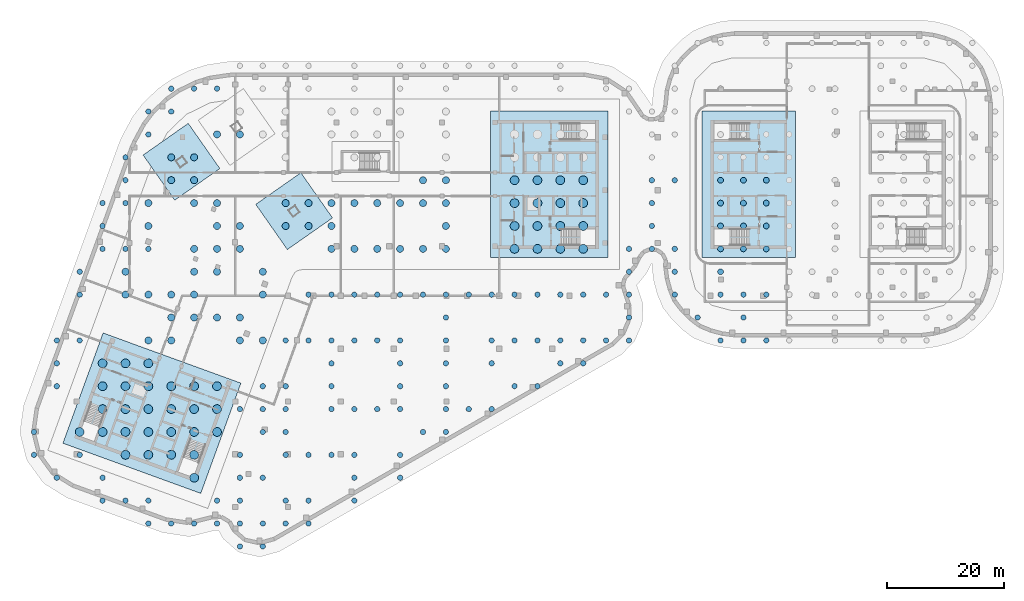
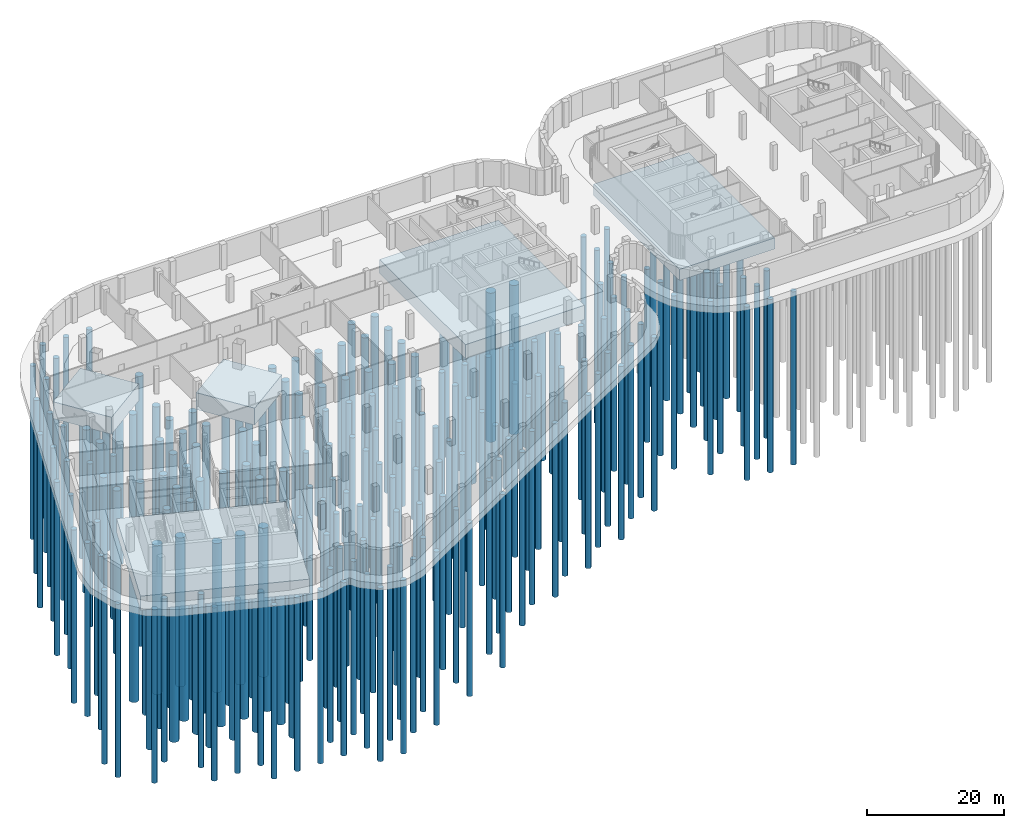
# One storey, part 1 of 18: 237 piles, 5 footings.
"""IFC4 building model written with IfcOpenShell, lengths in metres."""

from ifc_helpers import new_model, si_unit, direction, frame, origin, origin_2d, place, context, subcontext, project, spatial, polyline, circle, outline, extrude, material, type_object, element, save


model = new_model("IFC4")

# Units and contexts
model_context = context("Model", 3, precision=1e-05, world=origin(), true_north=direction((0.0, 1.0)))
body_context = subcontext(model_context, "Body", "Model", "MODEL_VIEW")
ifc_project = project(units=[si_unit("LENGTHUNIT", "METRE"), si_unit("AREAUNIT", "SQUARE_METRE"), si_unit("VOLUMEUNIT", "CUBIC_METRE"), si_unit("PLANEANGLEUNIT", "RADIAN"), si_unit("MASSUNIT", "GRAM", prefix="KILO")], contexts=[model_context])

# Site, building, storey
site_placement = place(None, origin())
site = spatial("IfcSite", under=ifc_project, at=site_placement, CompositionType="ELEMENT")
building_placement = place(site_placement, origin())
building = spatial("IfcBuilding", under=site, at=building_placement, Name="Skarvind Civic Tower", CompositionType="ELEMENT")
storey_placement = place(building_placement, frame((0.0, 0.0, -9.0)))
storey = spatial("IfcBuildingStorey", under=building, at=storey_placement, Name="B2", CompositionType="ELEMENT", Elevation=-9.0)

# Piles
ifc_material_1 = material(Name="Concrete C40", Category="concrete")
pile_type_1 = type_object("IfcPileType", Name="Bored pile D1000 length 27800 top -13.200", PredefinedType="BORED", material=ifc_material_1)
for number, where, z_axis, x_axis, name in (
    (1, (128.699951171875, 117.0, -4.199951171875), (0.0, 0.0, -1.0), (1.0, 0.0, 0.0), "Bored pile 278"),
    (2, (128.699951171875, 120.89990234375, -4.199951171875), (0.0, 0.0, -1.0), (1.0, 0.0, 0.0), "Bored pile 279"),
    (3, (128.699951171875, 124.800048828125, -4.199951171875), (0.0, 0.0, -1.0), (1.0, 0.0, 0.0), "Bored pile 280"),
    (4, (128.699951171875, 128.699951171875, -4.199951171875), (0.0, 0.0, -1.0), (1.0, 0.0, 0.0), "Bored pile 281"),
    (5, (132.60009765625, 117.0, -4.199951171875), (0.0, 0.0, -1.0), (1.0, 0.0, 0.0), "Bored pile 289"),
    (6, (132.60009765625, 120.89990234375, -4.199951171875), (0.0, 0.0, -1.0), (1.0, 0.0, 0.0), "Bored pile 290"),
    (7, (132.60009765625, 124.800048828125, -4.199951171875), (0.0, 0.0, -1.0), (1.0, 0.0, 0.0), "Bored pile 291"),
    (8, (132.60009765625, 128.699951171875, -4.199951171875), (0.0, 0.0, -1.0), (1.0, 0.0, 0.0), "Bored pile 292"),
    (9, (136.5, 117.0, -4.199951171875), (0.0, 0.0, -1.0), (1.0, 0.0, 0.0), "Bored pile 297"),
    (10, (136.5, 120.89990234375, -4.199951171875), (0.0, 0.0, -1.0), (1.0, 0.0, 0.0), "Bored pile 298"),
    (11, (136.5, 124.800048828125, -4.199951171875), (0.0, 0.0, -1.0), (1.0, 0.0, 0.0), "Bored pile 299"),
    (12, (136.5, 128.699951171875, -4.199951171875), (0.0, 0.0, -1.0), (1.0, 0.0, 0.0), "Bored pile 300"),
):
    element("IfcPile", number, at=place(storey_placement, frame(where, z_axis=z_axis, x_axis=x_axis)), inside=storey, type_object=pile_type_1, Name=name, PredefinedType="BORED", context=body_context, shape_type="SweptSolid", body=[
        extrude(circle(Radius=0.5, at=origin_2d()), origin(), (0.0, 0.0, 1.0), 27.800048828125),
    ])
pile_type_2 = type_object("IfcPileType", Name="Bored pile D1000 length 29800 top -11.200", PredefinedType="BORED", material=ifc_material_1)
pile_placement = place(storey_placement, frame((128.699951171875, 113.10009765625, -2.199951171875), z_axis=(0.0, 0.0, -1.0), x_axis=(1.0, 0.0, 0.0)))
element("IfcPile", 13, at=pile_placement, inside=storey, type_object=pile_type_2, Name="Bored pile 277", PredefinedType="BORED", context=body_context, shape_type="SweptSolid", body=[
    extrude(circle(Radius=0.5, at=origin_2d()), origin(), (0.0, 0.0, 1.0), 29.800048828125),
])
pile_type_3 = type_object("IfcPileType", Name="Bored pile D1200 length 26000 top -15.000", PredefinedType="BORED", material=ifc_material_1)
for number, where, z_axis, x_axis, name in (
    (14, (35.10009765625, 128.699951171875, -6.0), (0.0, 0.0, -1.0), (1.0, 0.0, 0.0), "Bored pile 055"),
    (15, (35.10009765625, 132.60009765625, -6.0), (0.0, 0.0, -1.0), (1.0, 0.0, 0.0), "Bored pile 056"),
    (16, (39.0, 128.699951171875, -6.0), (0.0, 0.0, -1.0), (1.0, 0.0, 0.0), "Bored pile 070"),
    (17, (39.0, 132.60009765625, -6.0), (0.0, 0.0, -1.0), (1.0, 0.0, 0.0), "Bored pile 071"),
    (18, (42.89990234375, 136.5, -6.0), (0.0, 0.0, -1.0), (1.0, 0.0, 0.0), "Bored pile 083"),
    (19, (46.800048828125, 136.5, -6.0), (0.0, 0.0, -1.0), (1.0, 0.0, 0.0), "Bored pile 095"),
    (20, (54.60009765625, 120.89990234375, -6.0), (0.0, 0.0, -1.0), (1.0, 0.0, 0.0), "Bored pile 117"),
    (21, (54.60009765625, 124.800048828125, -6.0), (0.0, 0.0, -1.0), (1.0, 0.0, 0.0), "Bored pile 118"),
    (22, (58.5, 120.89990234375, -6.0), (0.0, 0.0, -1.0), (1.0, 0.0, 0.0), "Bored pile 129"),
    (23, (58.5, 124.800048828125, -6.0), (0.0, 0.0, -1.0), (1.0, 0.0, 0.0), "Bored pile 130"),
):
    element("IfcPile", number, at=place(storey_placement, frame(where, z_axis=z_axis, x_axis=x_axis)), inside=storey, type_object=pile_type_3, Name=name, PredefinedType="BORED", context=body_context, shape_type="SweptSolid", body=[
        extrude(circle(Radius=0.60009765625, at=origin_2d()), origin(), (0.0, 0.0, 1.0), 26.0),
    ])
pile_type_4 = type_object("IfcPileType", Name="Bored pile D1200 length 29000 top -12.000", PredefinedType="BORED", material=ifc_material_1)
for number, where, z_axis, x_axis, name in (
    (24, (27.300048828125, 109.199951171875, -3.0), (0.0, 0.0, -1.0), (1.0, 0.0, 0.0), "Bored pile 027"),
    (25, (27.300048828125, 113.10009765625, -3.0), (0.0, 0.0, -1.0), (1.0, 0.0, 0.0), "Bored pile 028"),
    (26, (31.199951171875, 101.39990234375, -3.0), (0.0, 0.0, -1.0), (1.0, 0.0, 0.0), "Bored pile 040"),
    (27, (31.199951171875, 109.199951171875, -3.0), (0.0, 0.0, -1.0), (1.0, 0.0, 0.0), "Bored pile 041"),
    (28, (31.199951171875, 120.89990234375, -3.0), (0.0, 0.0, -1.0), (1.0, 0.0, 0.0), "Bored pile 043"),
    (29, (31.199951171875, 124.800048828125, -3.0), (0.0, 0.0, -1.0), (1.0, 0.0, 0.0), "Bored pile 044"),
    (30, (35.10009765625, 101.39990234375, -3.0), (0.0, 0.0, -1.0), (1.0, 0.0, 0.0), "Bored pile 052"),
    (31, (35.10009765625, 105.300048828125, -3.0), (0.0, 0.0, -1.0), (1.0, 0.0, 0.0), "Bored pile 053"),
    (32, (35.10009765625, 109.199951171875, -3.0), (0.0, 0.0, -1.0), (1.0, 0.0, 0.0), "Bored pile 054"),
    (33, (39.0, 105.300048828125, -3.0), (0.0, 0.0, -1.0), (1.0, 0.0, 0.0), "Bored pile 065"),
    (34, (39.0, 109.199951171875, -3.0), (0.0, 0.0, -1.0), (1.0, 0.0, 0.0), "Bored pile 066"),
    (35, (39.0, 113.10009765625, -3.0), (0.0, 0.0, -1.0), (1.0, 0.0, 0.0), "Bored pile 067"),
    (36, (39.0, 117.0, -3.0), (0.0, 0.0, -1.0), (1.0, 0.0, 0.0), "Bored pile 068"),
    (37, (39.0, 124.800048828125, -3.0), (0.0, 0.0, -1.0), (1.0, 0.0, 0.0), "Bored pile 069"),
    (38, (42.89990234375, 105.300048828125, -3.0), (0.0, 0.0, -1.0), (1.0, 0.0, 0.0), "Bored pile 078"),
    (39, (42.89990234375, 113.10009765625, -3.0), (0.0, 0.0, -1.0), (1.0, 0.0, 0.0), "Bored pile 079"),
    (40, (42.89990234375, 117.0, -3.0), (0.0, 0.0, -1.0), (1.0, 0.0, 0.0), "Bored pile 080"),
    (41, (42.89990234375, 120.89990234375, -3.0), (0.0, 0.0, -1.0), (1.0, 0.0, 0.0), "Bored pile 081"),
    (42, (42.89990234375, 124.800048828125, -3.0), (0.0, 0.0, -1.0), (1.0, 0.0, 0.0), "Bored pile 082"),
    (43, (46.800048828125, 101.39990234375, -3.0), (0.0, 0.0, -1.0), (1.0, 0.0, 0.0), "Bored pile 091"),
    (44, (46.800048828125, 105.300048828125, -3.0), (0.0, 0.0, -1.0), (1.0, 0.0, 0.0), "Bored pile 092"),
    (45, (46.800048828125, 117.0, -3.0), (0.0, 0.0, -1.0), (1.0, 0.0, 0.0), "Bored pile 093"),
    (46, (46.800048828125, 120.89990234375, -3.0), (0.0, 0.0, -1.0), (1.0, 0.0, 0.0), "Bored pile 094"),
    (47, (50.699951171875, 101.39990234375, -3.0), (0.0, 0.0, -1.0), (1.0, 0.0, 0.0), "Bored pile 104"),
    (48, (50.699951171875, 109.199951171875, -3.0), (0.0, 0.0, -1.0), (1.0, 0.0, 0.0), "Bored pile 105"),
    (49, (50.699951171875, 113.10009765625, -3.0), (0.0, 0.0, -1.0), (1.0, 0.0, 0.0), "Bored pile 106"),
    (50, (62.39990234375, 117.0, -3.0), (0.0, 0.0, -1.0), (1.0, 0.0, 0.0), "Bored pile 139"),
    (51, (62.39990234375, 120.89990234375, -3.0), (0.0, 0.0, -1.0), (1.0, 0.0, 0.0), "Bored pile 140"),
    (52, (62.39990234375, 124.800048828125, -3.0), (0.0, 0.0, -1.0), (1.0, 0.0, 0.0), "Bored pile 141"),
    (53, (66.300048828125, 117.0, -3.0), (0.0, 0.0, -1.0), (1.0, 0.0, 0.0), "Bored pile 150"),
    (54, (66.300048828125, 124.800048828125, -3.0), (0.0, 0.0, -1.0), (1.0, 0.0, 0.0), "Bored pile 151"),
    (55, (70.199951171875, 117.0, -3.0), (0.0, 0.0, -1.0), (1.0, 0.0, 0.0), "Bored pile 160"),
    (56, (70.199951171875, 124.800048828125, -3.0), (0.0, 0.0, -1.0), (1.0, 0.0, 0.0), "Bored pile 161"),
    (57, (74.10009765625, 117.0, -3.0), (0.0, 0.0, -1.0), (1.0, 0.0, 0.0), "Bored pile 172"),
    (58, (74.10009765625, 124.800048828125, -3.0), (0.0, 0.0, -1.0), (1.0, 0.0, 0.0), "Bored pile 173"),
    (59, (78.0, 117.0, -3.0), (0.0, 0.0, -1.0), (1.0, 0.0, 0.0), "Bored pile 180"),
    (60, (78.0, 124.800048828125, -3.0), (0.0, 0.0, -1.0), (1.0, 0.0, 0.0), "Bored pile 181"),
    (61, (78.0, 128.699951171875, -3.0), (0.0, 0.0, -1.0), (1.0, 0.0, 0.0), "Bored pile 182"),
    (62, (81.89990234375, 117.0, -3.0), (0.0, 0.0, -1.0), (1.0, 0.0, 0.0), "Bored pile 191"),
    (63, (81.89990234375, 120.89990234375, -3.0), (0.0, 0.0, -1.0), (1.0, 0.0, 0.0), "Bored pile 192"),
    (64, (81.89990234375, 124.800048828125, -3.0), (0.0, 0.0, -1.0), (1.0, 0.0, 0.0), "Bored pile 193"),
    (65, (81.89990234375, 128.699951171875, -3.0), (0.0, 0.0, -1.0), (1.0, 0.0, 0.0), "Bored pile 194"),
):
    element("IfcPile", number, at=place(storey_placement, frame(where, z_axis=z_axis, x_axis=x_axis)), inside=storey, type_object=pile_type_4, Name=name, PredefinedType="BORED", context=body_context, shape_type="SweptSolid", body=[
        extrude(circle(Radius=0.60009765625, at=origin_2d()), origin(), (0.0, 0.0, 1.0), 29.0),
    ])
pile_type_5 = type_object("IfcPileType", Name="Bored pile D1500 length 26500 top -14.500", PredefinedType="BORED", material=ifc_material_1)
for number, where, z_axis, x_axis, name in (
    (66, (19.5, 85.800048828125, -5.5), (0.0, 0.0, -1.0), (1.0, 0.0, 0.0), "Bored pile 008"),
    (67, (23.39990234375, 85.800048828125, -5.5), (0.0, 0.0, -1.0), (1.0, 0.0, 0.0), "Bored pile 014"),
    (68, (23.39990234375, 89.699951171875, -5.5), (0.0, 0.0, -1.0), (1.0, 0.0, 0.0), "Bored pile 015"),
    (69, (23.39990234375, 93.60009765625, -5.5), (0.0, 0.0, -1.0), (1.0, 0.0, 0.0), "Bored pile 016"),
    (70, (23.39990234375, 97.5, -5.5), (0.0, 0.0, -1.0), (1.0, 0.0, 0.0), "Bored pile 017"),
    (71, (27.300048828125, 81.89990234375, -5.5), (0.0, 0.0, -1.0), (1.0, 0.0, 0.0), "Bored pile 022"),
    (72, (27.300048828125, 85.800048828125, -5.5), (0.0, 0.0, -1.0), (1.0, 0.0, 0.0), "Bored pile 023"),
    (73, (27.300048828125, 89.699951171875, -5.5), (0.0, 0.0, -1.0), (1.0, 0.0, 0.0), "Bored pile 024"),
    (74, (27.300048828125, 93.60009765625, -5.5), (0.0, 0.0, -1.0), (1.0, 0.0, 0.0), "Bored pile 025"),
    (75, (27.300048828125, 97.5, -5.5), (0.0, 0.0, -1.0), (1.0, 0.0, 0.0), "Bored pile 026"),
    (76, (31.199951171875, 81.89990234375, -5.5), (0.0, 0.0, -1.0), (1.0, 0.0, 0.0), "Bored pile 035"),
    (77, (31.199951171875, 85.800048828125, -5.5), (0.0, 0.0, -1.0), (1.0, 0.0, 0.0), "Bored pile 036"),
    (78, (31.199951171875, 89.699951171875, -5.5), (0.0, 0.0, -1.0), (1.0, 0.0, 0.0), "Bored pile 037"),
    (79, (31.199951171875, 93.60009765625, -5.5), (0.0, 0.0, -1.0), (1.0, 0.0, 0.0), "Bored pile 038"),
    (80, (31.199951171875, 97.5, -5.5), (0.0, 0.0, -1.0), (1.0, 0.0, 0.0), "Bored pile 039"),
    (81, (35.10009765625, 81.89990234375, -5.5), (0.0, 0.0, -1.0), (1.0, 0.0, 0.0), "Bored pile 048"),
    (82, (35.10009765625, 85.800048828125, -5.5), (0.0, 0.0, -1.0), (1.0, 0.0, 0.0), "Bored pile 049"),
    (83, (35.10009765625, 89.699951171875, -5.5), (0.0, 0.0, -1.0), (1.0, 0.0, 0.0), "Bored pile 050"),
    (84, (35.10009765625, 93.60009765625, -5.5), (0.0, 0.0, -1.0), (1.0, 0.0, 0.0), "Bored pile 051"),
    (85, (39.0, 78.0, -5.5), (0.0, 0.0, -1.0), (1.0, 0.0, 0.0), "Bored pile 060"),
    (86, (39.0, 81.89990234375, -5.5), (0.0, 0.0, -1.0), (1.0, 0.0, 0.0), "Bored pile 061"),
    (87, (39.0, 85.800048828125, -5.5), (0.0, 0.0, -1.0), (1.0, 0.0, 0.0), "Bored pile 062"),
    (88, (39.0, 89.699951171875, -5.5), (0.0, 0.0, -1.0), (1.0, 0.0, 0.0), "Bored pile 063"),
    (89, (39.0, 93.60009765625, -5.5), (0.0, 0.0, -1.0), (1.0, 0.0, 0.0), "Bored pile 064"),
    (90, (42.89990234375, 85.800048828125, -5.5), (0.0, 0.0, -1.0), (1.0, 0.0, 0.0), "Bored pile 075"),
    (91, (42.89990234375, 89.699951171875, -5.5), (0.0, 0.0, -1.0), (1.0, 0.0, 0.0), "Bored pile 076"),
    (92, (42.89990234375, 93.60009765625, -5.5), (0.0, 0.0, -1.0), (1.0, 0.0, 0.0), "Bored pile 077"),
    (93, (93.60009765625, 117.0, -5.5), (0.0, 0.0, -1.0), (1.0, 0.0, 0.0), "Bored pile 211"),
    (94, (93.60009765625, 120.89990234375, -5.5), (0.0, 0.0, -1.0), (1.0, 0.0, 0.0), "Bored pile 212"),
    (95, (93.60009765625, 124.800048828125, -5.5), (0.0, 0.0, -1.0), (1.0, 0.0, 0.0), "Bored pile 213"),
    (96, (93.60009765625, 128.699951171875, -5.5), (0.0, 0.0, -1.0), (1.0, 0.0, 0.0), "Bored pile 214"),
    (97, (97.5, 117.0, -5.5), (0.0, 0.0, -1.0), (1.0, 0.0, 0.0), "Bored pile 222"),
    (98, (97.5, 120.89990234375, -5.5), (0.0, 0.0, -1.0), (1.0, 0.0, 0.0), "Bored pile 223"),
    (99, (97.5, 124.800048828125, -5.5), (0.0, 0.0, -1.0), (1.0, 0.0, 0.0), "Bored pile 224"),
    (100, (97.5, 128.699951171875, -5.5), (0.0, 0.0, -1.0), (1.0, 0.0, 0.0), "Bored pile 225"),
    (101, (101.39990234375, 117.0, -5.5), (0.0, 0.0, -1.0), (1.0, 0.0, 0.0), "Bored pile 231"),
    (102, (101.39990234375, 120.89990234375, -5.5), (0.0, 0.0, -1.0), (1.0, 0.0, 0.0), "Bored pile 232"),
    (103, (101.39990234375, 124.800048828125, -5.5), (0.0, 0.0, -1.0), (1.0, 0.0, 0.0), "Bored pile 233"),
    (104, (101.39990234375, 128.699951171875, -5.5), (0.0, 0.0, -1.0), (1.0, 0.0, 0.0), "Bored pile 234"),
    (105, (105.300048828125, 117.0, -5.5), (0.0, 0.0, -1.0), (1.0, 0.0, 0.0), "Bored pile 242"),
    (106, (105.300048828125, 120.89990234375, -5.5), (0.0, 0.0, -1.0), (1.0, 0.0, 0.0), "Bored pile 243"),
    (107, (105.300048828125, 124.800048828125, -5.5), (0.0, 0.0, -1.0), (1.0, 0.0, 0.0), "Bored pile 244"),
    (108, (105.300048828125, 128.699951171875, -5.5), (0.0, 0.0, -1.0), (1.0, 0.0, 0.0), "Bored pile 245"),
):
    element("IfcPile", number, at=place(storey_placement, frame(where, z_axis=z_axis, x_axis=x_axis)), inside=storey, type_object=pile_type_5, Name=name, PredefinedType="BORED", context=body_context, shape_type="SweptSolid", body=[
        extrude(circle(Radius=0.75, at=origin_2d()), origin(), (0.0, 0.0, 1.0), 26.5),
    ])
pile_type_6 = type_object("IfcPileType", Name="Bored pile D900 length 29000 top -12.000", PredefinedType="BORED", material=ifc_material_1)
for number, where, z_axis, x_axis, name in (
    (109, (19.5, 81.89990234375, -3.0), (0.0, 0.0, -1.0), (1.0, 0.0, 0.0), "Bored pile 007"),
    (110, (27.300048828125, 117.0, -3.0), (0.0, 0.0, -1.0), (1.0, 0.0, 0.0), "Bored pile 029"),
    (111, (31.199951171875, 117.0, -3.0), (0.0, 0.0, -1.0), (1.0, 0.0, 0.0), "Bored pile 042"),
    (112, (46.800048828125, 89.699951171875, -3.0), (0.0, 0.0, -1.0), (1.0, 0.0, 0.0), "Bored pile 090"),
):
    element("IfcPile", number, at=place(storey_placement, frame(where, z_axis=z_axis, x_axis=x_axis)), inside=storey, type_object=pile_type_6, Name=name, PredefinedType="BORED", context=body_context, shape_type="SweptSolid", body=[
        extrude(circle(Radius=0.449951171875, at=origin_2d()), origin(), (0.0, 0.0, 1.0), 29.0),
    ])
pile_type_7 = type_object("IfcPileType", Name="Bored pile D900 length 29800 top -11.200", PredefinedType="BORED", material=ifc_material_1)
for number, where, z_axis, x_axis, name in (
    (113, (128.699951171875, 109.199951171875, -2.199951171875), (0.0, 0.0, -1.0), (1.0, 0.0, 0.0), "Bored pile 276"),
    (114, (132.60009765625, 109.199951171875, -2.199951171875), (0.0, 0.0, -1.0), (1.0, 0.0, 0.0), "Bored pile 288"),
    (115, (136.5, 109.199951171875, -2.199951171875), (0.0, 0.0, -1.0), (1.0, 0.0, 0.0), "Bored pile 296"),
):
    element("IfcPile", number, at=place(storey_placement, frame(where, z_axis=z_axis, x_axis=x_axis)), inside=storey, type_object=pile_type_7, Name=name, PredefinedType="BORED", context=body_context, shape_type="SweptSolid", body=[
        extrude(circle(Radius=0.449951171875, at=origin_2d()), origin(), (0.0, 0.0, 1.0), 29.800048828125),
    ])
pile_type_8 = type_object("IfcPileType", Name="Bored pile D900 length 30800 top -10.200", PredefinedType="BORED", material=ifc_material_1)
for number, where, z_axis, x_axis, name in (
    (116, (11.699951171875, 81.89990234375, -1.199951171875), (0.0, 0.0, -1.0), (1.0, 0.0, 0.0), "Bored pile 001"),
    (117, (11.699951171875, 85.800048828125, -1.199951171875), (0.0, 0.0, -1.0), (1.0, 0.0, 0.0), "Bored pile 002"),
    (118, (15.60009765625, 78.0, -1.199951171875), (0.0, 0.0, -1.0), (1.0, 0.0, 0.0), "Bored pile 003"),
    (119, (15.60009765625, 93.60009765625, -1.199951171875), (0.0, 0.0, -1.0), (1.0, 0.0, 0.0), "Bored pile 004"),
    (120, (15.60009765625, 97.5, -1.199951171875), (0.0, 0.0, -1.0), (1.0, 0.0, 0.0), "Bored pile 005"),
    (121, (15.60009765625, 101.39990234375, -1.199951171875), (0.0, 0.0, -1.0), (1.0, 0.0, 0.0), "Bored pile 006"),
    (122, (19.5, 101.39990234375, -1.199951171875), (0.0, 0.0, -1.0), (1.0, 0.0, 0.0), "Bored pile 009"),
    (123, (19.5, 109.199951171875, -1.199951171875), (0.0, 0.0, -1.0), (1.0, 0.0, 0.0), "Bored pile 010"),
    (124, (19.5, 113.10009765625, -1.199951171875), (0.0, 0.0, -1.0), (1.0, 0.0, 0.0), "Bored pile 011"),
    (125, (23.39990234375, 74.10009765625, -1.199951171875), (0.0, 0.0, -1.0), (1.0, 0.0, 0.0), "Bored pile 012"),
    (126, (23.39990234375, 78.0, -1.199951171875), (0.0, 0.0, -1.0), (1.0, 0.0, 0.0), "Bored pile 013"),
    (127, (23.39990234375, 117.0, -1.199951171875), (0.0, 0.0, -1.0), (1.0, 0.0, 0.0), "Bored pile 018"),
    (128, (23.39990234375, 120.89990234375, -1.199951171875), (0.0, 0.0, -1.0), (1.0, 0.0, 0.0), "Bored pile 019"),
    (129, (23.39990234375, 124.800048828125, -1.199951171875), (0.0, 0.0, -1.0), (1.0, 0.0, 0.0), "Bored pile 020"),
    (130, (27.300048828125, 74.10009765625, -1.199951171875), (0.0, 0.0, -1.0), (1.0, 0.0, 0.0), "Bored pile 021"),
    (131, (27.300048828125, 124.800048828125, -1.199951171875), (0.0, 0.0, -1.0), (1.0, 0.0, 0.0), "Bored pile 030"),
    (132, (27.300048828125, 128.699951171875, -1.199951171875), (0.0, 0.0, -1.0), (1.0, 0.0, 0.0), "Bored pile 031"),
    (133, (27.300048828125, 132.60009765625, -1.199951171875), (0.0, 0.0, -1.0), (1.0, 0.0, 0.0), "Bored pile 032"),
    (134, (31.199951171875, 70.199951171875, -1.199951171875), (0.0, 0.0, -1.0), (1.0, 0.0, 0.0), "Bored pile 033"),
    (135, (31.199951171875, 74.10009765625, -1.199951171875), (0.0, 0.0, -1.0), (1.0, 0.0, 0.0), "Bored pile 034"),
    (136, (31.199951171875, 136.5, -1.199951171875), (0.0, 0.0, -1.0), (1.0, 0.0, 0.0), "Bored pile 045"),
    (137, (31.199951171875, 140.39990234375, -1.199951171875), (0.0, 0.0, -1.0), (1.0, 0.0, 0.0), "Bored pile 046"),
    (138, (35.10009765625, 70.199951171875, -1.199951171875), (0.0, 0.0, -1.0), (1.0, 0.0, 0.0), "Bored pile 047"),
    (139, (35.10009765625, 140.39990234375, -1.199951171875), (0.0, 0.0, -1.0), (1.0, 0.0, 0.0), "Bored pile 057"),
    (140, (35.10009765625, 144.300048828125, -1.199951171875), (0.0, 0.0, -1.0), (1.0, 0.0, 0.0), "Bored pile 058"),
    (141, (39.0, 70.199951171875, -1.199951171875), (0.0, 0.0, -1.0), (1.0, 0.0, 0.0), "Bored pile 059"),
    (142, (39.0, 144.300048828125, -1.199951171875), (0.0, 0.0, -1.0), (1.0, 0.0, 0.0), "Bored pile 072"),
    (143, (42.89990234375, 70.199951171875, -1.199951171875), (0.0, 0.0, -1.0), (1.0, 0.0, 0.0), "Bored pile 073"),
    (144, (42.89990234375, 74.10009765625, -1.199951171875), (0.0, 0.0, -1.0), (1.0, 0.0, 0.0), "Bored pile 074"),
    (145, (42.89990234375, 144.300048828125, -1.199951171875), (0.0, 0.0, -1.0), (1.0, 0.0, 0.0), "Bored pile 084"),
    (146, (46.800048828125, 66.300048828125, -1.199951171875), (0.0, 0.0, -1.0), (1.0, 0.0, 0.0), "Bored pile 085"),
    (147, (46.800048828125, 70.199951171875, -1.199951171875), (0.0, 0.0, -1.0), (1.0, 0.0, 0.0), "Bored pile 086"),
    (148, (46.800048828125, 74.10009765625, -1.199951171875), (0.0, 0.0, -1.0), (1.0, 0.0, 0.0), "Bored pile 087"),
    (149, (46.800048828125, 78.0, -1.199951171875), (0.0, 0.0, -1.0), (1.0, 0.0, 0.0), "Bored pile 088"),
    (150, (46.800048828125, 81.89990234375, -1.199951171875), (0.0, 0.0, -1.0), (1.0, 0.0, 0.0), "Bored pile 089"),
    (151, (50.699951171875, 66.300048828125, -1.199951171875), (0.0, 0.0, -1.0), (1.0, 0.0, 0.0), "Bored pile 098"),
    (152, (50.699951171875, 70.199951171875, -1.199951171875), (0.0, 0.0, -1.0), (1.0, 0.0, 0.0), "Bored pile 099"),
    (153, (50.699951171875, 78.0, -1.199951171875), (0.0, 0.0, -1.0), (1.0, 0.0, 0.0), "Bored pile 100"),
    (154, (50.699951171875, 85.800048828125, -1.199951171875), (0.0, 0.0, -1.0), (1.0, 0.0, 0.0), "Bored pile 101"),
    (155, (50.699951171875, 89.699951171875, -1.199951171875), (0.0, 0.0, -1.0), (1.0, 0.0, 0.0), "Bored pile 102"),
    (156, (50.699951171875, 93.60009765625, -1.199951171875), (0.0, 0.0, -1.0), (1.0, 0.0, 0.0), "Bored pile 103"),
    (157, (54.60009765625, 70.199951171875, -1.199951171875), (0.0, 0.0, -1.0), (1.0, 0.0, 0.0), "Bored pile 110"),
    (158, (54.60009765625, 74.10009765625, -1.199951171875), (0.0, 0.0, -1.0), (1.0, 0.0, 0.0), "Bored pile 111"),
    (159, (54.60009765625, 81.89990234375, -1.199951171875), (0.0, 0.0, -1.0), (1.0, 0.0, 0.0), "Bored pile 112"),
    (160, (54.60009765625, 85.800048828125, -1.199951171875), (0.0, 0.0, -1.0), (1.0, 0.0, 0.0), "Bored pile 113"),
    (161, (54.60009765625, 89.699951171875, -1.199951171875), (0.0, 0.0, -1.0), (1.0, 0.0, 0.0), "Bored pile 114"),
    (162, (54.60009765625, 93.60009765625, -1.199951171875), (0.0, 0.0, -1.0), (1.0, 0.0, 0.0), "Bored pile 115"),
    (163, (54.60009765625, 101.39990234375, -1.199951171875), (0.0, 0.0, -1.0), (1.0, 0.0, 0.0), "Bored pile 116"),
    (164, (58.5, 70.199951171875, -1.199951171875), (0.0, 0.0, -1.0), (1.0, 0.0, 0.0), "Bored pile 124"),
    (165, (58.5, 74.10009765625, -1.199951171875), (0.0, 0.0, -1.0), (1.0, 0.0, 0.0), "Bored pile 125"),
    (166, (58.5, 81.89990234375, -1.199951171875), (0.0, 0.0, -1.0), (1.0, 0.0, 0.0), "Bored pile 126"),
    (167, (58.5, 101.39990234375, -1.199951171875), (0.0, 0.0, -1.0), (1.0, 0.0, 0.0), "Bored pile 127"),
    (168, (58.5, 109.199951171875, -1.199951171875), (0.0, 0.0, -1.0), (1.0, 0.0, 0.0), "Bored pile 128"),
    (169, (62.39990234375, 81.89990234375, -1.199951171875), (0.0, 0.0, -1.0), (1.0, 0.0, 0.0), "Bored pile 133"),
    (170, (62.39990234375, 89.699951171875, -1.199951171875), (0.0, 0.0, -1.0), (1.0, 0.0, 0.0), "Bored pile 134"),
    (171, (62.39990234375, 93.60009765625, -1.199951171875), (0.0, 0.0, -1.0), (1.0, 0.0, 0.0), "Bored pile 135"),
    (172, (62.39990234375, 97.5, -1.199951171875), (0.0, 0.0, -1.0), (1.0, 0.0, 0.0), "Bored pile 136"),
    (173, (62.39990234375, 101.39990234375, -1.199951171875), (0.0, 0.0, -1.0), (1.0, 0.0, 0.0), "Bored pile 137"),
    (174, (62.39990234375, 109.199951171875, -1.199951171875), (0.0, 0.0, -1.0), (1.0, 0.0, 0.0), "Bored pile 138"),
    (175, (66.300048828125, 74.10009765625, -1.199951171875), (0.0, 0.0, -1.0), (1.0, 0.0, 0.0), "Bored pile 144"),
    (176, (66.300048828125, 78.0, -1.199951171875), (0.0, 0.0, -1.0), (1.0, 0.0, 0.0), "Bored pile 145"),
    (177, (66.300048828125, 81.89990234375, -1.199951171875), (0.0, 0.0, -1.0), (1.0, 0.0, 0.0), "Bored pile 146"),
    (178, (66.300048828125, 89.699951171875, -1.199951171875), (0.0, 0.0, -1.0), (1.0, 0.0, 0.0), "Bored pile 147"),
    (179, (66.300048828125, 101.39990234375, -1.199951171875), (0.0, 0.0, -1.0), (1.0, 0.0, 0.0), "Bored pile 148"),
    (180, (66.300048828125, 109.199951171875, -1.199951171875), (0.0, 0.0, -1.0), (1.0, 0.0, 0.0), "Bored pile 149"),
    (181, (70.199951171875, 89.699951171875, -1.199951171875), (0.0, 0.0, -1.0), (1.0, 0.0, 0.0), "Bored pile 157"),
    (182, (70.199951171875, 101.39990234375, -1.199951171875), (0.0, 0.0, -1.0), (1.0, 0.0, 0.0), "Bored pile 158"),
    (183, (70.199951171875, 109.199951171875, -1.199951171875), (0.0, 0.0, -1.0), (1.0, 0.0, 0.0), "Bored pile 159"),
    (184, (74.10009765625, 78.0, -1.199951171875), (0.0, 0.0, -1.0), (1.0, 0.0, 0.0), "Bored pile 165"),
    (185, (74.10009765625, 81.89990234375, -1.199951171875), (0.0, 0.0, -1.0), (1.0, 0.0, 0.0), "Bored pile 166"),
    (186, (74.10009765625, 89.699951171875, -1.199951171875), (0.0, 0.0, -1.0), (1.0, 0.0, 0.0), "Bored pile 167"),
    (187, (74.10009765625, 93.60009765625, -1.199951171875), (0.0, 0.0, -1.0), (1.0, 0.0, 0.0), "Bored pile 168"),
    (188, (74.10009765625, 97.5, -1.199951171875), (0.0, 0.0, -1.0), (1.0, 0.0, 0.0), "Bored pile 169"),
    (189, (74.10009765625, 101.39990234375, -1.199951171875), (0.0, 0.0, -1.0), (1.0, 0.0, 0.0), "Bored pile 170"),
    (190, (74.10009765625, 109.199951171875, -1.199951171875), (0.0, 0.0, -1.0), (1.0, 0.0, 0.0), "Bored pile 171"),
    (191, (78.0, 85.800048828125, -1.199951171875), (0.0, 0.0, -1.0), (1.0, 0.0, 0.0), "Bored pile 178"),
    (192, (78.0, 109.199951171875, -1.199951171875), (0.0, 0.0, -1.0), (1.0, 0.0, 0.0), "Bored pile 179"),
    (193, (81.89990234375, 85.800048828125, -1.199951171875), (0.0, 0.0, -1.0), (1.0, 0.0, 0.0), "Bored pile 184"),
    (194, (81.89990234375, 89.699951171875, -1.199951171875), (0.0, 0.0, -1.0), (1.0, 0.0, 0.0), "Bored pile 185"),
    (195, (81.89990234375, 93.60009765625, -1.199951171875), (0.0, 0.0, -1.0), (1.0, 0.0, 0.0), "Bored pile 186"),
    (196, (81.89990234375, 97.5, -1.199951171875), (0.0, 0.0, -1.0), (1.0, 0.0, 0.0), "Bored pile 187"),
    (197, (81.89990234375, 101.39990234375, -1.199951171875), (0.0, 0.0, -1.0), (1.0, 0.0, 0.0), "Bored pile 188"),
    (198, (81.89990234375, 105.300048828125, -1.199951171875), (0.0, 0.0, -1.0), (1.0, 0.0, 0.0), "Bored pile 189"),
    (199, (81.89990234375, 109.199951171875, -1.199951171875), (0.0, 0.0, -1.0), (1.0, 0.0, 0.0), "Bored pile 190"),
    (200, (85.800048828125, 89.699951171875, -1.199951171875), (0.0, 0.0, -1.0), (1.0, 0.0, 0.0), "Bored pile 200"),
    (201, (85.800048828125, 109.199951171875, -1.199951171875), (0.0, 0.0, -1.0), (1.0, 0.0, 0.0), "Bored pile 201"),
    (202, (89.699951171875, 89.699951171875, -1.199951171875), (0.0, 0.0, -1.0), (1.0, 0.0, 0.0), "Bored pile 203"),
    (203, (89.699951171875, 97.5, -1.199951171875), (0.0, 0.0, -1.0), (1.0, 0.0, 0.0), "Bored pile 204"),
    (204, (89.699951171875, 101.39990234375, -1.199951171875), (0.0, 0.0, -1.0), (1.0, 0.0, 0.0), "Bored pile 205"),
    (205, (89.699951171875, 109.199951171875, -1.199951171875), (0.0, 0.0, -1.0), (1.0, 0.0, 0.0), "Bored pile 206"),
    (206, (93.60009765625, 93.60009765625, -1.199951171875), (0.0, 0.0, -1.0), (1.0, 0.0, 0.0), "Bored pile 208"),
    (207, (93.60009765625, 101.39990234375, -1.199951171875), (0.0, 0.0, -1.0), (1.0, 0.0, 0.0), "Bored pile 209"),
    (208, (93.60009765625, 109.199951171875, -1.199951171875), (0.0, 0.0, -1.0), (1.0, 0.0, 0.0), "Bored pile 210"),
    (209, (97.5, 93.60009765625, -1.199951171875), (0.0, 0.0, -1.0), (1.0, 0.0, 0.0), "Bored pile 219"),
    (210, (97.5, 101.39990234375, -1.199951171875), (0.0, 0.0, -1.0), (1.0, 0.0, 0.0), "Bored pile 220"),
    (211, (97.5, 109.199951171875, -1.199951171875), (0.0, 0.0, -1.0), (1.0, 0.0, 0.0), "Bored pile 221"),
    (212, (101.39990234375, 97.5, -1.199951171875), (0.0, 0.0, -1.0), (1.0, 0.0, 0.0), "Bored pile 228"),
    (213, (101.39990234375, 101.39990234375, -1.199951171875), (0.0, 0.0, -1.0), (1.0, 0.0, 0.0), "Bored pile 229"),
    (214, (101.39990234375, 109.199951171875, -1.199951171875), (0.0, 0.0, -1.0), (1.0, 0.0, 0.0), "Bored pile 230"),
    (215, (105.300048828125, 97.5, -1.199951171875), (0.0, 0.0, -1.0), (1.0, 0.0, 0.0), "Bored pile 239"),
    (216, (105.300048828125, 101.39990234375, -1.199951171875), (0.0, 0.0, -1.0), (1.0, 0.0, 0.0), "Bored pile 240"),
    (217, (105.300048828125, 109.199951171875, -1.199951171875), (0.0, 0.0, -1.0), (1.0, 0.0, 0.0), "Bored pile 241"),
    (218, (109.199951171875, 101.39990234375, -1.199951171875), (0.0, 0.0, -1.0), (1.0, 0.0, 0.0), "Bored pile 248"),
    (219, (109.199951171875, 109.199951171875, -1.199951171875), (0.0, 0.0, -1.0), (1.0, 0.0, 0.0), "Bored pile 249"),
    (220, (113.10009765625, 101.39990234375, -1.199951171875), (0.0, 0.0, -1.0), (1.0, 0.0, 0.0), "Bored pile 251"),
    (221, (113.10009765625, 105.300048828125, -1.199951171875), (0.0, 0.0, -1.0), (1.0, 0.0, 0.0), "Bored pile 252"),
    (222, (113.10009765625, 109.199951171875, -1.199951171875), (0.0, 0.0, -1.0), (1.0, 0.0, 0.0), "Bored pile 253"),
    (223, (113.10009765625, 113.10009765625, -1.199951171875), (0.0, 0.0, -1.0), (1.0, 0.0, 0.0), "Bored pile 254"),
    (224, (113.10009765625, 117.0, -1.199951171875), (0.0, 0.0, -1.0), (1.0, 0.0, 0.0), "Bored pile 255"),
    (225, (117.0, 117.0, -1.199951171875), (0.0, 0.0, -1.0), (1.0, 0.0, 0.0), "Bored pile 258"),
    (226, (117.0, 120.89990234375, -1.199951171875), (0.0, 0.0, -1.0), (1.0, 0.0, 0.0), "Bored pile 259"),
    (227, (117.0, 124.800048828125, -1.199951171875), (0.0, 0.0, -1.0), (1.0, 0.0, 0.0), "Bored pile 260"),
    (228, (117.0, 128.699951171875, -1.199951171875), (0.0, 0.0, -1.0), (1.0, 0.0, 0.0), "Bored pile 261"),
    (229, (120.89990234375, 109.199951171875, -1.199951171875), (0.0, 0.0, -1.0), (1.0, 0.0, 0.0), "Bored pile 265"),
    (230, (120.89990234375, 113.10009765625, -1.199951171875), (0.0, 0.0, -1.0), (1.0, 0.0, 0.0), "Bored pile 266"),
    (231, (120.89990234375, 117.0, -1.199951171875), (0.0, 0.0, -1.0), (1.0, 0.0, 0.0), "Bored pile 267"),
    (232, (120.89990234375, 128.699951171875, -1.199951171875), (0.0, 0.0, -1.0), (1.0, 0.0, 0.0), "Bored pile 268"),
    (233, (124.800048828125, 105.300048828125, -1.199951171875), (0.0, 0.0, -1.0), (1.0, 0.0, 0.0), "Bored pile 273"),
    (234, (128.699951171875, 101.39990234375, -1.199951171875), (0.0, 0.0, -1.0), (1.0, 0.0, 0.0), "Bored pile 275"),
    (235, (132.60009765625, 101.39990234375, -1.199951171875), (0.0, 0.0, -1.0), (1.0, 0.0, 0.0), "Bored pile 286"),
    (236, (132.60009765625, 105.300048828125, -1.199951171875), (0.0, 0.0, -1.0), (1.0, 0.0, 0.0), "Bored pile 287"),
    (237, (136.5, 101.39990234375, -1.199951171875), (0.0, 0.0, -1.0), (1.0, 0.0, 0.0), "Bored pile 295"),
):
    element("IfcPile", number, at=place(storey_placement, frame(where, z_axis=z_axis, x_axis=x_axis)), inside=storey, type_object=pile_type_8, Name=name, PredefinedType="BORED", context=body_context, shape_type="SweptSolid", body=[
        extrude(circle(Radius=0.449951171875, at=origin_2d()), origin(), (0.0, 0.0, 1.0), 30.800048828125),
    ])

# Footings
ifc_material_2 = material(Name="Concrete C50", Category="concrete")
footing_type_1 = type_object("IfcFootingType", Name="Pile cap 2000 top -11.200", PredefinedType="PILE_CAP", material=ifc_material_2)
footing_1_placement = place(storey_placement, frame((0.0, 0.0, -4.199951171875)))
element("IfcFooting", 238, at=footing_1_placement, inside=storey, type_object=footing_type_1, Name="Pile cap core CA", PredefinedType="PILE_CAP", context=body_context, shape_type="SweptSolid", body=[
    extrude(outline(polyline([(141.5, 115.5), (141.5, 140.5), (125.5, 140.5), (125.5, 115.5), (141.5, 115.5)])), origin(), (0.0, 0.0, 1.0), 2.0),
])
footing_type_2 = type_object("IfcFootingType", Name="Pile cap 2500 top -12.000", PredefinedType="PILE_CAP", material=ifc_material_2)
footing_2_placement = place(storey_placement, frame((0.0, 0.0, -5.5)))
element("IfcFooting", 239, at=footing_2_placement, inside=storey, type_object=footing_type_2, Name="Pile cap core C1", PredefinedType="PILE_CAP", context=body_context, shape_type="SweptSolid", body=[
    extrude(outline(polyline([(89.5, 140.5), (89.5, 115.5), (109.5, 115.5), (109.5, 140.5), (89.5, 140.5)])), origin(), (0.0, 0.0, 1.0), 2.5),
])
footing_3_placement = place(storey_placement, frame((0.0, 0.0, -5.5)))
element("IfcFooting", 240, at=footing_3_placement, inside=storey, type_object=footing_type_2, Name="Pile cap core C2", PredefinedType="PILE_CAP", context=body_context, shape_type="SweptSolid", body=[
    extrude(outline(polyline([(46.972412109375, 94.12451171875), (23.480224609375, 102.6748046875), (16.639892578125, 83.881103515625), (40.132080078125, 75.33056640625), (46.972412109375, 94.12451171875)])), origin(), (0.0, 0.0, 1.0), 2.5),
])
footing_type_3 = type_object("IfcFootingType", Name="Pile cap 3000 top -12.000", PredefinedType="PILE_CAP", material=ifc_material_2)
footing_4_placement = place(storey_placement, frame((0.0, 0.0, -6.0)))
element("IfcFooting", 241, at=footing_4_placement, inside=storey, type_object=footing_type_3, Name="Pile cap mega column 1", PredefinedType="PILE_CAP", context=body_context, shape_type="SweptSolid", body=[
    extrude(outline(polyline([(35.69189453125, 125.291748046875), (43.391845703125, 130.683349609375), (38.000244140625, 138.38330078125), (30.30029296875, 132.99169921875), (35.69189453125, 125.291748046875)])), origin(), (0.0, 0.0, 1.0), 3.0),
])
footing_5_placement = place(storey_placement, frame((0.0, 0.0, -6.0)))
element("IfcFooting", 242, at=footing_5_placement, inside=storey, type_object=footing_type_3, Name="Pile cap mega column 4", PredefinedType="PILE_CAP", context=body_context, shape_type="SweptSolid", body=[
    extrude(outline(polyline([(54.882080078125, 116.88427734375), (62.58203125, 122.27587890625), (57.1904296875, 129.975830078125), (49.490478515625, 124.584228515625), (54.882080078125, 116.88427734375)])), origin(), (0.0, 0.0, 1.0), 3.0),
])

save(model, "model.ifc")
